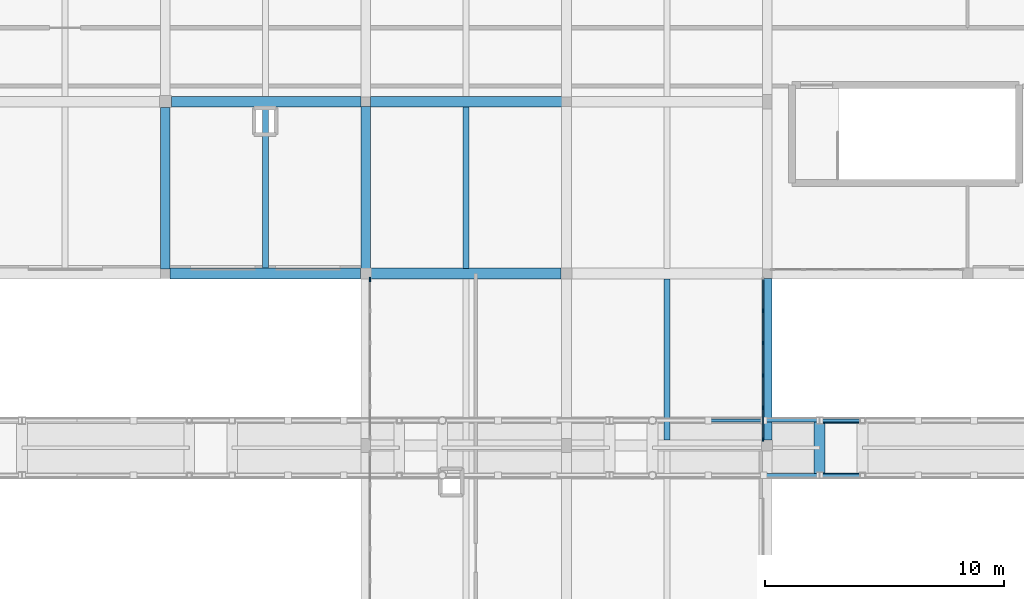
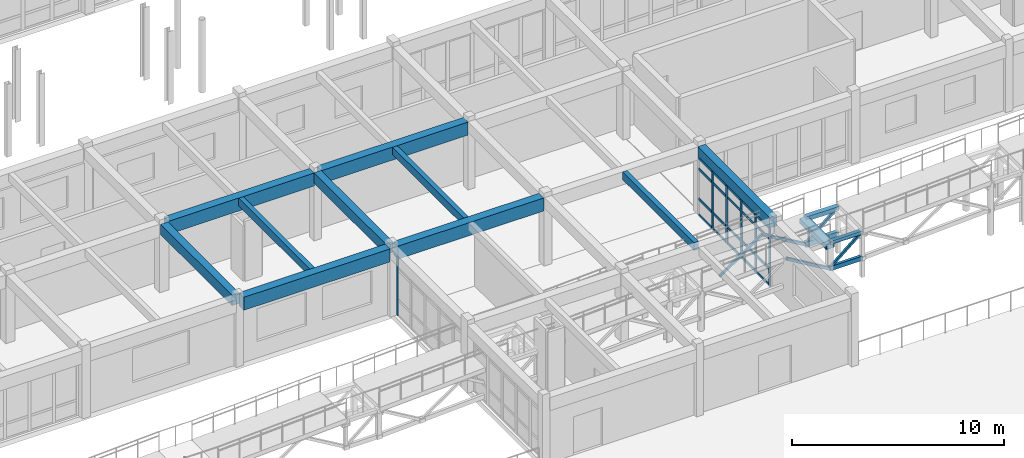
# One storey, part 34 of 90: 35 members, 11 beams, 2 elements without a shape of their own.
"""IFC4 building model written with IfcOpenShell, lengths in metres."""

import ifcopenshell
import ifcopenshell.guid

model = None  # the IFC model being written
_history = None  # IfcOwnerHistory: only IFC2X3 demands one
_inside = {}  # id of a spatial element -> (the spatial element, [elements in it])
_under = {}  # id of a project, library or spatial element -> (it, [spatial elements below it])
_declared = {}  # id of a project -> (the project, [libraries it declares])
_typed = {}  # id of a type object -> (the type object, [elements of that type])
_made_of = {}  # id of a material, layer set ... -> (it, [elements and type objects made of it])


def new_model(schema):
    """Start an empty IFC model of exactly this schema.

    Asked for "IFC4X3", IfcOpenShell would pick the latest addendum, in which some entities
    have other attributes; the version numbers below select the first issue.
    IFC2X3 requires an IfcOwnerHistory on every rooted entity: one is made here for all.
    """
    global model, _history
    if schema == "IFC4X3":
        model = ifcopenshell.file(schema_version=(4, 3, 0, 0))
    else:
        model = ifcopenshell.file(schema=schema)
    _inside.clear()
    _under.clear()
    _declared.clear()
    _typed.clear()
    _made_of.clear()
    _history = None
    if model.schema == "IFC2X3":
        org = make("IfcOrganization", Name="unknown")
        user = make(
            "IfcPersonAndOrganization",
            ThePerson=make("IfcPerson", FamilyName="unknown"),
            TheOrganization=org,
        )
        app = make(
            "IfcApplication",
            ApplicationDeveloper=org,
            Version="unknown",
            ApplicationFullName="unknown",
            ApplicationIdentifier="unknown",
        )
        _history = make(
            "IfcOwnerHistory",
            OwningUser=user,
            OwningApplication=app,
            ChangeAction="ADDED",
            CreationDate=0,
        )
    return model


def make(cls, **values):
    """One entity of the class cls with the attributes given. An attribute that is None is left unset."""
    return model.create_entity(
        cls, **{name: value for name, value in values.items() if value is not None}
    )


def rooted(cls, **values):
    """An entity with a GlobalId (a new one), such as an element, a storey or a relation."""
    return make(cls, GlobalId=ifcopenshell.guid.new(), OwnerHistory=_history, **values)


def si_unit(unit_type, name, prefix=None):
    """IfcSIUnit, for example si_unit("LENGTHUNIT", "METRE", prefix="MILLI")."""
    return make("IfcSIUnit", UnitType=unit_type, Prefix=prefix, Name=name)


def assignment(units):
    """IfcUnitAssignment: the units of a project."""
    return None if units is None else make("IfcUnitAssignment", Units=units)


def point(xyz):
    """IfcCartesianPoint."""
    return None if xyz is None else make("IfcCartesianPoint", Coordinates=xyz)


def direction(xyz):
    """IfcDirection."""
    return None if xyz is None else make("IfcDirection", DirectionRatios=xyz)


def frame(location, z_axis=None, x_axis=None):
    """IfcAxis2Placement3D, a coordinate frame: its origin and axes. An axis left out is left unset."""
    return make(
        "IfcAxis2Placement3D",
        Location=point(location),
        Axis=direction(z_axis),
        RefDirection=direction(x_axis),
    )


def frame_2d(location, x_axis=None):
    """IfcAxis2Placement2D, a coordinate frame in the plane: its origin and x axis."""
    return make(
        "IfcAxis2Placement2D", Location=point(location), RefDirection=direction(x_axis)
    )


def origin():
    """The frame at (0, 0, 0) with its axes left unset."""
    return frame((0.0, 0.0, 0.0))


def origin_2d():
    """The frame at (0, 0) in the plane with its x axis left unset."""
    return frame_2d((0.0, 0.0))


def place(relative_to, where):
    """IfcLocalPlacement: puts the frame where relative to a parent placement (None: the world)."""
    return make(
        "IfcLocalPlacement", PlacementRelTo=relative_to, RelativePlacement=where
    )


def context(
    kind, dimensions, precision=None, world=None, true_north=None, identifier=None
):
    """IfcGeometricRepresentationContext, for example the 3D "Model" context."""
    return make(
        "IfcGeometricRepresentationContext",
        ContextIdentifier=identifier,
        ContextType=kind,
        CoordinateSpaceDimension=dimensions,
        Precision=precision,
        WorldCoordinateSystem=world,
        TrueNorth=true_north,
    )


def subcontext(parent, identifier, kind, view, scale=None):
    """IfcGeometricRepresentationSubContext, for example "Body" below "Model"."""
    return make(
        "IfcGeometricRepresentationSubContext",
        ContextIdentifier=identifier,
        ContextType=kind,
        ParentContext=parent,
        TargetScale=scale,
        TargetView=view,
    )


def project(units=None, contexts=None):
    """IfcProject with its units and contexts."""
    return rooted(
        "IfcProject",
        Name="project",
        RepresentationContexts=contexts,
        UnitsInContext=assignment(units),
    )


def spatial(cls, under=None, at=None, **own):
    """A site, building, storey or space (cls), placed at a placement, below another one or the project."""
    s = rooted(cls, ObjectPlacement=at, **own)
    if under is not None:
        _under.setdefault(under.id(), (under, []))[1].append(s)
    return s


def profile(cls, at=None, kind="AREA", **sizes):
    """A parametric profile (cls). Its sizes go by their IFC names, for example OverallWidth=200.0."""
    return make(cls, ProfileType=kind, Position=at, **sizes)


def rectangle(**sizes):
    """IfcRectangleProfileDef."""
    return profile("IfcRectangleProfileDef", **sizes)


def hollow_rectangle(**sizes):
    """IfcRectangleHollowProfileDef."""
    return profile("IfcRectangleHollowProfileDef", **sizes)


def extrude(swept, where, along, depth):
    """IfcExtrudedAreaSolid: the profile swept, set in the frame where, extruded along a direction by depth."""
    return make(
        "IfcExtrudedAreaSolid",
        SweptArea=swept,
        Position=where,
        ExtrudedDirection=direction(along),
        Depth=depth,
    )


def shape(context_of_items, identifier, shape_type, items):
    """IfcShapeRepresentation: the items that make up one representation, for example the "Body"."""
    return make(
        "IfcShapeRepresentation",
        ContextOfItems=context_of_items,
        RepresentationIdentifier=identifier,
        RepresentationType=shape_type,
        Items=items,
    )


def material(Name=None, Category=None):
    """IfcMaterial."""
    return make("IfcMaterial", Name=Name, Category=Category)


def material_profile(
    of_material, cross_section, Name=None, Category=None, Priority=None
):
    """IfcMaterialProfile: a cross section and its material."""
    return make(
        "IfcMaterialProfile",
        Name=Name,
        Material=of_material,
        Profile=cross_section,
        Priority=Priority,
        Category=Category,
    )


def profile_set(profiles, Name=None, composite=None):
    """IfcMaterialProfileSet."""
    return make(
        "IfcMaterialProfileSet",
        Name=Name,
        MaterialProfiles=profiles,
        CompositeProfile=composite,
    )


def made_of(thing, what):
    """Note that an element or type object is made of a material, layer set ...; save() writes the relation."""
    if what is not None:
        _made_of.setdefault(what.id(), (what, []))[1].append(thing)
    return thing


def type_object(cls, material=None, **own):
    """A type object (cls), such as IfcWallType, which elements share."""
    return made_of(rooted(cls, **own), material)


def element(
    cls,
    number,
    at=None,
    inside=None,
    cuts=None,
    type_object=None,
    material=None,
    context=None,
    identifier="Body",
    shape_type=None,
    held_by="IfcProductDefinitionShape",
    body=None,
    shapes=None,
    **own,
):
    """One element of the class cls, such as IfcWall. Its Tag is "e" and its number.

    at: its placement. inside: the storey or other place that contains it. cuts: it is an
    opening in that element (IfcRelVoidsElement). A single representation is given by context,
    identifier, shape_type and body (its items); several are given by shapes. held_by: the class
    of the entity that holds the representations. save() writes the other relations.
    """
    e = rooted(cls, Tag="e%d" % number, ObjectPlacement=at, **own)
    if body is not None:
        shapes = [shape(context, identifier, shape_type, body)]
    if shapes is not None:
        e.Representation = make(held_by, Representations=shapes)
    if inside is not None:
        _inside.setdefault(inside.id(), (inside, []))[1].append(e)
    if cuts is not None:
        rooted(
            "IfcRelVoidsElement", RelatingBuildingElement=cuts, RelatedOpeningElement=e
        )
    if type_object is not None:
        _typed.setdefault(type_object.id(), (type_object, []))[1].append(e)
    return made_of(e, material)


def aggregate(whole, parts):
    """IfcRelAggregates: a whole, such as a stair, and the parts it consists of."""
    return rooted("IfcRelAggregates", RelatingObject=whole, RelatedObjects=parts)


def save(model, path):
    """Write the relations noted so far, then the file.

    IfcRelAggregates (storeys below a building ...), IfcRelContainedInSpatialStructure (elements
    in a storey), IfcRelDefinesByType, IfcRelAssociatesMaterial and IfcRelDeclares: one each for
    every whole, place, type object, material and project.
    """
    for whole, parts in _under.values():
        aggregate(whole, parts)
    for where, things in _inside.values():
        rooted(
            "IfcRelContainedInSpatialStructure",
            RelatedElements=things,
            RelatingStructure=where,
        )
    for kind, things in _typed.values():
        rooted("IfcRelDefinesByType", RelatedObjects=things, RelatingType=kind)
    for what, things in _made_of.values():
        rooted("IfcRelAssociatesMaterial", RelatedObjects=things, RelatingMaterial=what)
    for by, libraries in _declared.values():
        rooted("IfcRelDeclares", RelatingContext=by, RelatedDefinitions=libraries)
    model.write(path)


model = new_model("IFC4")

# Units and contexts
model_context = context("Model", 3, precision=1e-05, world=origin(), true_north=direction((0.0, 1.0)))
body_context = subcontext(model_context, "Body", "Model", "MODEL_VIEW")
ifc_project = project(units=[si_unit("LENGTHUNIT", "METRE"), si_unit("AREAUNIT", "SQUARE_METRE"), si_unit("VOLUMEUNIT", "CUBIC_METRE"), si_unit("PLANEANGLEUNIT", "RADIAN"), si_unit("MASSUNIT", "GRAM", prefix="KILO")], contexts=[model_context])

# Site, building, storey
site_placement = place(None, origin())
site = spatial("IfcSite", under=ifc_project, at=site_placement, CompositionType="ELEMENT")
building_placement = place(site_placement, origin())
building = spatial("IfcBuilding", under=site, at=building_placement, Name="Malvenik Polytechnic", CompositionType="ELEMENT")
storey_placement = place(building_placement, frame((0.0, 0.0, 9.300048828125)))
storey = spatial("IfcBuildingStorey", under=building, at=storey_placement, Name="L02", CompositionType="ELEMENT", Elevation=9.300048828125)

# Curtain wall, members
ifc_material_1 = material(Name="Anodised aluminium 6060-T6", Category="aluminium")
curtain_wall_type = type_object("IfcCurtainWallType", Name="ARC-CW-CW-06", PredefinedType="NOTDEFINED", material=ifc_material_1)
curtain_wall_1_placement = place(storey_placement, origin())
curtain_wall_1 = element("IfcCurtainWall", 1, at=curtain_wall_1_placement, inside=storey, type_object=curtain_wall_type, Name="Unitised Curtain Wall CW-06 L02 #146", PredefinedType="NOTDEFINED")
ifc_material_2 = material(Name="Anodised aluminium", Category="aluminium")
ifc_material_profile_1 = material_profile(ifc_material_2, rectangle(XDim=0.06005859375, YDim=0.159912109375, at=origin_2d()), Name="ALU MULLION 60x160")
ifc_profile_set_1 = profile_set([ifc_material_profile_1], Name="Anodised aluminium")
member_type_1 = type_object("IfcMemberType", Name="ARC-CWM-160", PredefinedType="MULLION", material=ifc_profile_set_1)
member_1_placement = place(storey_placement, frame((92.22998046875, 48.84619140625, 0.0), z_axis=(0.0, 0.0, 1.0), x_axis=(1.0, 0.0, 0.0)))
member_1 = element("IfcMember", 2, at=member_1_placement, type_object=member_type_1, Name="CW-06 mullion 2", PredefinedType="MULLION", context=body_context, shape_type="SweptSolid", body=[
    extrude(rectangle(XDim=0.06005859375, YDim=0.159912109375, at=origin_2d()), origin(), (0.0, 0.0, 1.0), 3.329833984375),
])
member_2_placement = place(storey_placement, frame((92.22998046875, 47.490478515625, 0.0), z_axis=(0.0, 0.0, 1.0), x_axis=(1.0, 0.0, 0.0)))
member_2 = element("IfcMember", 3, at=member_2_placement, type_object=member_type_1, Name="CW-06 mullion 3", PredefinedType="MULLION", context=body_context, shape_type="SweptSolid", body=[
    extrude(rectangle(XDim=0.06005859375, YDim=0.159912109375, at=origin_2d()), origin(), (0.0, 0.0, 1.0), 3.329833984375),
])
member_3_placement = place(storey_placement, frame((92.22998046875, 46.134521484375, 0.0), z_axis=(0.0, 0.0, 1.0), x_axis=(1.0, 0.0, 0.0)))
member_3 = element("IfcMember", 4, at=member_3_placement, type_object=member_type_1, Name="CW-06 mullion 4", PredefinedType="MULLION", context=body_context, shape_type="SweptSolid", body=[
    extrude(rectangle(XDim=0.06005859375, YDim=0.159912109375, at=origin_2d()), origin(), (0.0, 0.0, 1.0), 3.329833984375),
])
member_4_placement = place(storey_placement, frame((92.22998046875, 44.77880859375, 0.0), z_axis=(0.0, 0.0, 1.0), x_axis=(1.0, 0.0, 0.0)))
member_4 = element("IfcMember", 5, at=member_4_placement, type_object=member_type_1, Name="CW-06 mullion 5", PredefinedType="MULLION", context=body_context, shape_type="SweptSolid", body=[
    extrude(rectangle(XDim=0.06005859375, YDim=0.159912109375, at=origin_2d()), origin(), (0.0, 0.0, 1.0), 3.329833984375),
])
member_5_placement = place(storey_placement, frame((92.22998046875, 43.452880859375, 0.0), z_axis=(0.0, 0.0, 1.0), x_axis=(1.0, 0.0, 0.0)))
member_5 = element("IfcMember", 6, at=member_5_placement, type_object=member_type_1, Name="CW-06 mullion 6", PredefinedType="MULLION", context=body_context, shape_type="SweptSolid", body=[
    extrude(rectangle(XDim=0.06005859375, YDim=0.159912109375, at=origin_2d()), origin(), (0.0, 0.0, 1.0), 3.329833984375),
])

# Curtain wall, member
curtain_wall_2_placement = place(storey_placement, origin())
curtain_wall_2 = element("IfcCurtainWall", 7, at=curtain_wall_2_placement, inside=storey, type_object=curtain_wall_type, Name="Unitised Curtain Wall CW-06 L02 #136", PredefinedType="NOTDEFINED")
ifc_material_profile_2 = material_profile(ifc_material_2, rectangle(XDim=0.06005859375, YDim=0.179931640625, at=origin_2d()), Name="ALU MULLION 60x180")
ifc_profile_set_2 = profile_set([ifc_material_profile_2], Name="Anodised aluminium")
member_type_2 = type_object("IfcMemberType", Name="ARC-CWM-180", PredefinedType="MULLION", material=ifc_profile_set_2)
member_6_placement = place(storey_placement, frame((75.77001953125, 50.14697265625, 0.0), z_axis=(0.0, 0.0, 1.0), x_axis=(-1.0, 0.0, 0.0)))
member_6 = element("IfcMember", 8, at=member_6_placement, type_object=member_type_2, Name="CW-06 mullion 6", PredefinedType="MULLION", context=body_context, shape_type="SweptSolid", body=[
    extrude(rectangle(XDim=0.06005859375, YDim=0.179931640625, at=origin_2d()), origin(), (0.0, 0.0, 1.0), 3.329833984375),
])
aggregate(curtain_wall_2, [member_6])

# Member
ifc_material_profile_3 = material_profile(ifc_material_2, rectangle(XDim=0.06005859375, YDim=0.139892578125, at=origin_2d()), Name="ALU TRANSOM 60x140")
ifc_profile_set_3 = profile_set([ifc_material_profile_3], Name="Anodised aluminium")
member_type_3 = type_object("IfcMemberType", Name="ARC-CWT-140", PredefinedType="USERDEFINED", material=ifc_profile_set_3)
member_7_placement = place(storey_placement, frame((92.22998046875, 50.14208984375, 0.030029296875), z_axis=(0.0, -1.0, 0.0), x_axis=(1.0, 0.0, 0.0)))
member_7 = element("IfcMember", 9, at=member_7_placement, type_object=member_type_3, Name="CW-06 transom 1.1", ObjectType="TRANSOM", PredefinedType="USERDEFINED", context=body_context, shape_type="SweptSolid", body=[
    extrude(rectangle(XDim=0.06005859375, YDim=0.139892578125, at=origin_2d()), origin(), (0.0, 0.0, 1.0), 1.265869140625),
])

member_8_placement = place(storey_placement, frame((92.22998046875, 50.14208984375, 0.949951171875), z_axis=(0.0, -1.0, 0.0), x_axis=(1.0, 0.0, 0.0)))
member_8 = element("IfcMember", 10, at=member_8_placement, type_object=member_type_3, Name="CW-06 transom 1.2", ObjectType="TRANSOM", PredefinedType="USERDEFINED", context=body_context, shape_type="SweptSolid", body=[
    extrude(rectangle(XDim=0.06005859375, YDim=0.139892578125, at=origin_2d()), origin(), (0.0, 0.0, 1.0), 1.265869140625),
])

member_9_placement = place(storey_placement, frame((92.22998046875, 50.14208984375, 2.679931640625), z_axis=(0.0, -1.0, 0.0), x_axis=(1.0, 0.0, 0.0)))
member_9 = element("IfcMember", 11, at=member_9_placement, type_object=member_type_3, Name="CW-06 transom 1.3", ObjectType="TRANSOM", PredefinedType="USERDEFINED", context=body_context, shape_type="SweptSolid", body=[
    extrude(rectangle(XDim=0.06005859375, YDim=0.139892578125, at=origin_2d()), origin(), (0.0, 0.0, 1.0), 1.265869140625),
])

member_10_placement = place(storey_placement, frame((92.22998046875, 50.14208984375, 3.300048828125), z_axis=(0.0, -1.0, 0.0), x_axis=(1.0, 0.0, 0.0)))
member_10 = element("IfcMember", 12, at=member_10_placement, type_object=member_type_3, Name="CW-06 transom 1.4", ObjectType="TRANSOM", PredefinedType="USERDEFINED", context=body_context, shape_type="SweptSolid", body=[
    extrude(rectangle(XDim=0.06005859375, YDim=0.139892578125, at=origin_2d()), origin(), (0.0, 0.0, 1.0), 1.265869140625),
])

member_11_placement = place(storey_placement, frame((92.22998046875, 48.816162109375, 0.030029296875), z_axis=(0.0, -1.0, 0.0), x_axis=(1.0, 0.0, 0.0)))
member_11 = element("IfcMember", 13, at=member_11_placement, type_object=member_type_3, Name="CW-06 transom 2.1", ObjectType="TRANSOM", PredefinedType="USERDEFINED", context=body_context, shape_type="SweptSolid", body=[
    extrude(rectangle(XDim=0.06005859375, YDim=0.139892578125, at=origin_2d()), origin(), (0.0, 0.0, 1.0), 1.295654296875),
])

member_12_placement = place(storey_placement, frame((92.22998046875, 48.816162109375, 0.949951171875), z_axis=(0.0, -1.0, 0.0), x_axis=(1.0, 0.0, 0.0)))
member_12 = element("IfcMember", 14, at=member_12_placement, type_object=member_type_3, Name="CW-06 transom 2.2", ObjectType="TRANSOM", PredefinedType="USERDEFINED", context=body_context, shape_type="SweptSolid", body=[
    extrude(rectangle(XDim=0.06005859375, YDim=0.139892578125, at=origin_2d()), origin(), (0.0, 0.0, 1.0), 1.295654296875),
])

member_13_placement = place(storey_placement, frame((92.22998046875, 48.816162109375, 2.679931640625), z_axis=(0.0, -1.0, 0.0), x_axis=(1.0, 0.0, 0.0)))
member_13 = element("IfcMember", 15, at=member_13_placement, type_object=member_type_3, Name="CW-06 transom 2.3", ObjectType="TRANSOM", PredefinedType="USERDEFINED", context=body_context, shape_type="SweptSolid", body=[
    extrude(rectangle(XDim=0.06005859375, YDim=0.139892578125, at=origin_2d()), origin(), (0.0, 0.0, 1.0), 1.295654296875),
])

member_14_placement = place(storey_placement, frame((92.22998046875, 48.816162109375, 3.300048828125), z_axis=(0.0, -1.0, 0.0), x_axis=(1.0, 0.0, 0.0)))
member_14 = element("IfcMember", 16, at=member_14_placement, type_object=member_type_3, Name="CW-06 transom 2.4", ObjectType="TRANSOM", PredefinedType="USERDEFINED", context=body_context, shape_type="SweptSolid", body=[
    extrude(rectangle(XDim=0.06005859375, YDim=0.139892578125, at=origin_2d()), origin(), (0.0, 0.0, 1.0), 1.295654296875),
])

member_15_placement = place(storey_placement, frame((92.22998046875, 47.46044921875, 0.030029296875), z_axis=(0.0, -1.0, 0.0), x_axis=(1.0, 0.0, 0.0)))
member_15 = element("IfcMember", 17, at=member_15_placement, type_object=member_type_3, Name="CW-06 transom 3.1", ObjectType="TRANSOM", PredefinedType="USERDEFINED", context=body_context, shape_type="SweptSolid", body=[
    extrude(rectangle(XDim=0.06005859375, YDim=0.139892578125, at=origin_2d()), origin(), (0.0, 0.0, 1.0), 1.2958984375),
])

member_16_placement = place(storey_placement, frame((92.22998046875, 47.46044921875, 0.949951171875), z_axis=(0.0, -1.0, 0.0), x_axis=(1.0, 0.0, 0.0)))
member_16 = element("IfcMember", 18, at=member_16_placement, type_object=member_type_3, Name="CW-06 transom 3.2", ObjectType="TRANSOM", PredefinedType="USERDEFINED", context=body_context, shape_type="SweptSolid", body=[
    extrude(rectangle(XDim=0.06005859375, YDim=0.139892578125, at=origin_2d()), origin(), (0.0, 0.0, 1.0), 1.2958984375),
])

member_17_placement = place(storey_placement, frame((92.22998046875, 47.46044921875, 2.679931640625), z_axis=(0.0, -1.0, 0.0), x_axis=(1.0, 0.0, 0.0)))
member_17 = element("IfcMember", 19, at=member_17_placement, type_object=member_type_3, Name="CW-06 transom 3.3", ObjectType="TRANSOM", PredefinedType="USERDEFINED", context=body_context, shape_type="SweptSolid", body=[
    extrude(rectangle(XDim=0.06005859375, YDim=0.139892578125, at=origin_2d()), origin(), (0.0, 0.0, 1.0), 1.2958984375),
])

member_18_placement = place(storey_placement, frame((92.22998046875, 47.46044921875, 3.300048828125), z_axis=(0.0, -1.0, 0.0), x_axis=(1.0, 0.0, 0.0)))
member_18 = element("IfcMember", 20, at=member_18_placement, type_object=member_type_3, Name="CW-06 transom 3.4", ObjectType="TRANSOM", PredefinedType="USERDEFINED", context=body_context, shape_type="SweptSolid", body=[
    extrude(rectangle(XDim=0.06005859375, YDim=0.139892578125, at=origin_2d()), origin(), (0.0, 0.0, 1.0), 1.2958984375),
])

member_19_placement = place(storey_placement, frame((92.22998046875, 46.1044921875, 0.030029296875), z_axis=(0.0, -1.0, 0.0), x_axis=(1.0, 0.0, 0.0)))
member_19 = element("IfcMember", 21, at=member_19_placement, type_object=member_type_3, Name="CW-06 transom 4.1", ObjectType="TRANSOM", PredefinedType="USERDEFINED", context=body_context, shape_type="SweptSolid", body=[
    extrude(rectangle(XDim=0.06005859375, YDim=0.139892578125, at=origin_2d()), origin(), (0.0, 0.0, 1.0), 1.295654296875),
])

member_20_placement = place(storey_placement, frame((92.22998046875, 46.1044921875, 0.949951171875), z_axis=(0.0, -1.0, 0.0), x_axis=(1.0, 0.0, 0.0)))
member_20 = element("IfcMember", 22, at=member_20_placement, type_object=member_type_3, Name="CW-06 transom 4.2", ObjectType="TRANSOM", PredefinedType="USERDEFINED", context=body_context, shape_type="SweptSolid", body=[
    extrude(rectangle(XDim=0.06005859375, YDim=0.139892578125, at=origin_2d()), origin(), (0.0, 0.0, 1.0), 1.295654296875),
])

member_21_placement = place(storey_placement, frame((92.22998046875, 46.1044921875, 2.679931640625), z_axis=(0.0, -1.0, 0.0), x_axis=(1.0, 0.0, 0.0)))
member_21 = element("IfcMember", 23, at=member_21_placement, type_object=member_type_3, Name="CW-06 transom 4.3", ObjectType="TRANSOM", PredefinedType="USERDEFINED", context=body_context, shape_type="SweptSolid", body=[
    extrude(rectangle(XDim=0.06005859375, YDim=0.139892578125, at=origin_2d()), origin(), (0.0, 0.0, 1.0), 1.295654296875),
])

member_22_placement = place(storey_placement, frame((92.22998046875, 46.1044921875, 3.300048828125), z_axis=(0.0, -1.0, 0.0), x_axis=(1.0, 0.0, 0.0)))
member_22 = element("IfcMember", 24, at=member_22_placement, type_object=member_type_3, Name="CW-06 transom 4.4", ObjectType="TRANSOM", PredefinedType="USERDEFINED", context=body_context, shape_type="SweptSolid", body=[
    extrude(rectangle(XDim=0.06005859375, YDim=0.139892578125, at=origin_2d()), origin(), (0.0, 0.0, 1.0), 1.295654296875),
])

member_23_placement = place(storey_placement, frame((92.22998046875, 44.748779296875, 0.030029296875), z_axis=(0.0, -1.0, 0.0), x_axis=(1.0, 0.0, 0.0)))
member_23 = element("IfcMember", 25, at=member_23_placement, type_object=member_type_3, Name="CW-06 transom 5.1", ObjectType="TRANSOM", PredefinedType="USERDEFINED", context=body_context, shape_type="SweptSolid", body=[
    extrude(rectangle(XDim=0.06005859375, YDim=0.139892578125, at=origin_2d()), origin(), (0.0, 0.0, 1.0), 1.265869140625),
])

member_24_placement = place(storey_placement, frame((92.22998046875, 44.748779296875, 0.949951171875), z_axis=(0.0, -1.0, 0.0), x_axis=(1.0, 0.0, 0.0)))
member_24 = element("IfcMember", 26, at=member_24_placement, type_object=member_type_3, Name="CW-06 transom 5.2", ObjectType="TRANSOM", PredefinedType="USERDEFINED", context=body_context, shape_type="SweptSolid", body=[
    extrude(rectangle(XDim=0.06005859375, YDim=0.139892578125, at=origin_2d()), origin(), (0.0, 0.0, 1.0), 1.265869140625),
])

member_25_placement = place(storey_placement, frame((92.22998046875, 44.748779296875, 2.679931640625), z_axis=(0.0, -1.0, 0.0), x_axis=(1.0, 0.0, 0.0)))
member_25 = element("IfcMember", 27, at=member_25_placement, type_object=member_type_3, Name="CW-06 transom 5.3", ObjectType="TRANSOM", PredefinedType="USERDEFINED", context=body_context, shape_type="SweptSolid", body=[
    extrude(rectangle(XDim=0.06005859375, YDim=0.139892578125, at=origin_2d()), origin(), (0.0, 0.0, 1.0), 1.265869140625),
])

member_26_placement = place(storey_placement, frame((92.22998046875, 44.748779296875, 3.300048828125), z_axis=(0.0, -1.0, 0.0), x_axis=(1.0, 0.0, 0.0)))
member_26 = element("IfcMember", 28, at=member_26_placement, type_object=member_type_3, Name="CW-06 transom 5.4", ObjectType="TRANSOM", PredefinedType="USERDEFINED", context=body_context, shape_type="SweptSolid", body=[
    extrude(rectangle(XDim=0.06005859375, YDim=0.139892578125, at=origin_2d()), origin(), (0.0, 0.0, 1.0), 1.265869140625),
])

aggregate(curtain_wall_1, [member_1, member_2, member_3, member_4, member_5, member_7, member_8, member_9, member_10, member_11, member_12, member_13, member_14, member_15, member_16, member_17, member_18, member_19, member_20, member_21, member_22, member_23, member_24, member_25, member_26])

# Beams
ifc_material_3 = material(Name="Concrete C35/45", Category="concrete")
ifc_material_profile_4 = material_profile(ifc_material_3, rectangle(XDim=0.449951171875, YDim=0.75, at=origin_2d()), Name="RC BM 450x750")
ifc_profile_set_4 = profile_set([ifc_material_profile_4], Name="Concrete C35/45")
beam_type_1 = type_object("IfcBeamType", Name="STR-BM-B-03", PredefinedType="BEAM", material=ifc_profile_set_4)
for number, where, z_axis, x_axis, name in (
    (29, (75.822998046875, 50.39990234375, 3.56494140625), (1.0, 0.0, 0.0), (0.0, 1.0, 0.0), "Primary Beam B-03 L02 #1343"),
    (30, (67.447998046875, 57.60009765625, 3.56494140625), (1.0, 0.0, 0.0), (0.0, 1.0, 0.0), "Primary Beam B-03 L02 #1355"),
):
    element("IfcBeam", number, at=place(storey_placement, frame(where, z_axis=z_axis, x_axis=x_axis)), inside=storey, type_object=beam_type_1, Name=name, PredefinedType="BEAM", context=body_context, shape_type="SweptSolid", body=[
        extrude(rectangle(XDim=0.449951171875, YDim=0.75, at=origin_2d()), origin(), (0.0, 0.0, 1.0), 7.9541015625),
    ])
beam_1_placement = place(storey_placement, frame((75.798095703125, 57.60009765625, 3.56494140625), z_axis=(1.0, 0.0, 0.0), x_axis=(0.0, 1.0, 0.0)))
element("IfcBeam", 31, at=beam_1_placement, inside=storey, type_object=beam_type_1, Name="Primary Beam B-03 L02 #1356", PredefinedType="BEAM", context=body_context, shape_type="SweptSolid", body=[
    extrude(rectangle(XDim=0.449951171875, YDim=0.75, at=origin_2d()), origin(), (0.0, 0.0, 1.0), 8.00390625),
])
ifc_material_profile_5 = material_profile(ifc_material_3, rectangle(XDim=0.39990234375, YDim=0.60009765625, at=origin_2d()), Name="RC BM 400x600")
ifc_profile_set_5 = profile_set([ifc_material_profile_5], Name="Concrete C35/45")
beam_type_2 = type_object("IfcBeamType", Name="STR-BM-B-06", PredefinedType="BEAM", material=ifc_profile_set_5)
beam_2_placement = place(storey_placement, frame((67.199951171875, 50.597900390625, 3.639892578125), z_axis=(0.0, 1.0, 0.0), x_axis=(-1.0, 0.0, 0.0)))
element("IfcBeam", 32, at=beam_2_placement, inside=storey, type_object=beam_type_2, Name="Transverse Beam B-06 L02 #1501", PredefinedType="BEAM", context=body_context, shape_type="SweptSolid", body=[
    extrude(rectangle(XDim=0.39990234375, YDim=0.60009765625, at=origin_2d()), origin(), (0.0, 0.0, 1.0), 6.754150390625),
])
beam_3_placement = place(storey_placement, frame((75.60009765625, 50.623046875, 3.639892578125), z_axis=(0.0, 1.0, 0.0), x_axis=(-1.0, 0.0, 0.0)))
element("IfcBeam", 33, at=beam_3_placement, inside=storey, type_object=beam_type_2, Name="Transverse Beam B-06 L02 #1509", PredefinedType="BEAM", context=body_context, shape_type="SweptSolid", body=[
    extrude(rectangle(XDim=0.39990234375, YDim=0.60009765625, at=origin_2d()), origin(), (0.0, 0.0, 1.0), 6.779052734375),
])
beam_4_placement = place(storey_placement, frame((92.39990234375, 43.423095703125, 3.639892578125), z_axis=(0.0, 1.0, 0.0), x_axis=(-1.0, 0.0, 0.0)))
element("IfcBeam", 34, at=beam_4_placement, inside=storey, type_object=beam_type_2, Name="Transverse Beam B-06 L02 #1528", PredefinedType="BEAM", context=body_context, shape_type="SweptSolid", body=[
    extrude(rectangle(XDim=0.39990234375, YDim=0.60009765625, at=origin_2d()), origin(), (0.0, 0.0, 1.0), 6.77880859375),
])
ifc_material_4 = material(Name="Concrete C30/37", Category="concrete")
ifc_material_profile_6 = material_profile(ifc_material_4, rectangle(XDim=0.25, YDim=0.449951171875, at=origin_2d()), Name="RC JST 250x450")
ifc_profile_set_6 = profile_set([ifc_material_profile_6], Name="Concrete C30/37")
beam_type_3 = type_object("IfcBeamType", Name="STR-BM-J-02", PredefinedType="JOIST", material=ifc_profile_set_6)
beam_5_placement = place(storey_placement, frame((71.39990234375, 50.6279296875, 3.71484375), z_axis=(0.0, 1.0, 0.0), x_axis=(-1.0, 0.0, 0.0)))
element("IfcBeam", 35, at=beam_5_placement, inside=storey, type_object=beam_type_3, Name="Secondary Rib Joist J-02 L02 #1587", PredefinedType="JOIST", context=body_context, shape_type="SweptSolid", body=[
    extrude(rectangle(XDim=0.25, YDim=0.449951171875, at=origin_2d()), origin(), (0.0, 0.0, 1.0), 6.7490234375),
])
for number, where, z_axis, x_axis, name in (
    (36, (79.800048828125, 50.623046875, 3.71484375), (0.0, 1.0, 0.0), (-1.0, 0.0, 0.0), "Secondary Rib Joist J-02 L02 #1592"),
    (37, (88.199951171875, 43.423095703125, 3.71484375), (0.0, 1.0, 0.0), (-1.0, 0.0, 0.0), "Secondary Rib Joist J-02 L02 #1598"),
):
    element("IfcBeam", number, at=place(storey_placement, frame(where, z_axis=z_axis, x_axis=x_axis)), inside=storey, type_object=beam_type_3, Name=name, PredefinedType="JOIST", context=body_context, shape_type="SweptSolid", body=[
        extrude(rectangle(XDim=0.25, YDim=0.449951171875, at=origin_2d()), origin(), (0.0, 0.0, 1.0), 6.75390625),
    ])
ifc_material_5 = material(Name="Steel S355J2H", Category="steel")
ifc_material_profile_7 = material_profile(ifc_material_5, hollow_rectangle(XDim=0.449951171875, YDim=0.300048828125, WallThickness=0.012451171875, at=origin_2d()), Name="RHS 450x300x12.5")
ifc_profile_set_7 = profile_set([ifc_material_profile_7], Name="Steel S355J2H")
beam_type_4 = type_object("IfcBeamType", Name="STR-BM-SB-07", PredefinedType="BEAM", material=ifc_profile_set_7)
beam_6_placement = place(storey_placement, frame((94.60009765625, 41.85009765625, 2.431884765625), z_axis=(0.0, 1.0, 0.0), x_axis=(-1.0, 0.0, 0.0)))
element("IfcBeam", 38, at=beam_6_placement, inside=storey, type_object=beam_type_4, Name="Ramp Joint Transom RB-01 #15", PredefinedType="BEAM", context=body_context, shape_type="SweptSolid", body=[
    extrude(hollow_rectangle(XDim=0.449951171875, YDim=0.300048828125, WallThickness=0.012451171875, at=origin_2d()), origin(), (0.0, 0.0, 1.0), 2.5),
])
ifc_material_6 = material(Name="Precast concrete C40/50", Category="concrete")
ifc_material_profile_8 = material_profile(ifc_material_6, rectangle(XDim=0.4599609375, YDim=0.75, at=origin_2d()), Name="PC SPN 460x750")
ifc_profile_set_8 = profile_set([ifc_material_profile_8], Name="Precast concrete C40/50")
beam_type_5 = type_object("IfcBeamType", Name="STR-BM-SP-02", PredefinedType="SPANDREL", material=ifc_profile_set_8)
beam_7_placement = place(storey_placement, frame((67.39794921875, 50.39990234375, 3.56494140625), z_axis=(1.0, 0.0, 0.0), x_axis=(0.0, 1.0, 0.0)))
element("IfcBeam", 39, at=beam_7_placement, inside=storey, type_object=beam_type_5, Name="Primary Beam SP-02 L02 #1342", PredefinedType="SPANDREL", context=body_context, shape_type="SweptSolid", body=[
    extrude(rectangle(XDim=0.4599609375, YDim=0.75, at=origin_2d()), origin(), (0.0, 0.0, 1.0), 7.97900390625),
])

# Members
ifc_material_profile_9 = material_profile(ifc_material_5, hollow_rectangle(XDim=0.14990234375, YDim=0.25, WallThickness=0.010009765625, at=origin_2d()), Name="RHS 250x150x10.0")
ifc_profile_set_9 = profile_set([ifc_material_profile_9], Name="Steel S355J2H")
member_type_4 = type_object("IfcMemberType", Name="STR-MEM-TRB-01", PredefinedType="CHORD", material=ifc_profile_set_9)
member_27_placement = place(storey_placement, frame((94.60400390625, 41.949951171875, 1.079833984375), z_axis=(1.0, 0.0, 0.0), x_axis=(0.0, 1.0, 0.0)))
element("IfcMember", 40, at=member_27_placement, inside=storey, type_object=member_type_4, Name="Space-Frame Tube TRB-01 STR-TR-BC-RB-01-1-15", PredefinedType="CHORD", context=body_context, shape_type="SweptSolid", body=[
    extrude(hollow_rectangle(XDim=0.14990234375, YDim=0.25, WallThickness=0.010009765625, at=origin_2d()), origin(), (0.0, 0.0, 1.0), 1.7919921875),
])
ifc_material_profile_10 = material_profile(ifc_material_5, hollow_rectangle(XDim=0.199951171875, YDim=0.300048828125, WallThickness=0.010009765625, at=origin_2d()), Name="RHS 300x200x10.0")
ifc_profile_set_10 = profile_set([ifc_material_profile_10], Name="Steel S355J2H")
member_type_5 = type_object("IfcMemberType", Name="STR-MEM-TRB-02", PredefinedType="CHORD", material=ifc_profile_set_10)
member_28_placement = place(storey_placement, frame((94.60400390625, 44.25, 1.079833984375), z_axis=(1.0, 0.0, 0.0), x_axis=(0.0, 1.0, 0.0)))
element("IfcMember", 41, at=member_28_placement, inside=storey, type_object=member_type_5, Name="Space-Frame Tube TRB-02 STR-TR-BC-RB-01-2-15", PredefinedType="CHORD", context=body_context, shape_type="SweptSolid", body=[
    extrude(hollow_rectangle(XDim=0.199951171875, YDim=0.300048828125, WallThickness=0.010009765625, at=origin_2d()), origin(), (0.0, 0.0, 1.0), 1.7919921875),
])
ifc_material_profile_11 = material_profile(ifc_material_5, hollow_rectangle(XDim=0.14990234375, YDim=0.14990234375, WallThickness=0.008056640625, at=origin_2d()), Name="SHS 150x150x8.0")
ifc_profile_set_11 = profile_set([ifc_material_profile_11], Name="Steel S355J2H")
member_type_6 = type_object("IfcMemberType", Name="STR-MEM-TRD-01", PredefinedType="BRACE", material=ifc_profile_set_11)
for number, where, z_axis, x_axis, name in (
    (42, (92.27001953125, 41.949951171875, 2.461181640625), (0.860228478793, 0.0, -0.509908780346), (0.0, 1.0, 0.0), "Space-Frame Tube TRD-01 STR-TRD-03-RB-01-1-14"),
    (43, (92.27001953125, 44.25, 2.461181640625), (0.860228478793, 0.0, -0.509908780346), (0.0, 1.0, 0.0), "Space-Frame Tube TRD-01 STR-TRD-03-RB-01-2-14"),
):
    element("IfcMember", number, at=place(storey_placement, frame(where, z_axis=z_axis, x_axis=x_axis)), inside=storey, type_object=member_type_6, Name=name, PredefinedType="BRACE", context=body_context, shape_type="SweptSolid", body=[
        extrude(hollow_rectangle(XDim=0.14990234375, YDim=0.14990234375, WallThickness=0.008056640625, at=origin_2d()), origin(), (0.0, 0.0, 1.0), 2.70458984375),
    ])
ifc_material_profile_12 = material_profile(ifc_material_5, hollow_rectangle(XDim=0.1201171875, YDim=0.1201171875, WallThickness=0.00634765625, at=origin_2d()), Name="SHS 120x120x6.3")
ifc_profile_set_12 = profile_set([ifc_material_profile_12], Name="Steel S355J2H")
member_type_7 = type_object("IfcMemberType", Name="STR-MEM-TRD-02", PredefinedType="BRACE", material=ifc_profile_set_12)
member_29_placement = place(storey_placement, frame((94.60302734375, 41.949951171875, 1.08251953125), z_axis=(0.768238418778, 0.0, 0.640163832088), x_axis=(0.0, 1.0, 0.0)))
element("IfcMember", 44, at=member_29_placement, inside=storey, type_object=member_type_7, Name="Space-Frame Tube TRD-02 STR-TR-DGL-RB-01-1-15", PredefinedType="BRACE", context=body_context, shape_type="SweptSolid", body=[
    extrude(hollow_rectangle(XDim=0.1201171875, YDim=0.1201171875, WallThickness=0.00634765625, at=origin_2d()), origin(), (0.0, 0.0, 1.0), 2.335205078125),
])
member_30_placement = place(storey_placement, frame((89.9365234375, 44.25, 0.848876953125), z_axis=(0.822005857331, 0.0, 0.569479034305), x_axis=(0.0, 1.0, 0.0)))
element("IfcMember", 45, at=member_30_placement, inside=storey, type_object=member_type_7, Name="Space-Frame Tube TRD-02 STR-TRD-02-RB-01-2-14", PredefinedType="BRACE", context=body_context, shape_type="SweptSolid", body=[
    extrude(hollow_rectangle(XDim=0.1201171875, YDim=0.1201171875, WallThickness=0.00634765625, at=origin_2d()), origin(), (0.0, 0.0, 1.0), 2.830810546875),
])
member_31_placement = place(storey_placement, frame((94.60302734375, 44.25, 1.08251953125), z_axis=(0.768238418778, 0.0, 0.640163832088), x_axis=(0.0, 1.0, 0.0)))
element("IfcMember", 46, at=member_31_placement, inside=storey, type_object=member_type_7, Name="Space-Frame Tube TRD-02 STR-TR-DGL-RB-01-2-15", PredefinedType="BRACE", context=body_context, shape_type="SweptSolid", body=[
    extrude(hollow_rectangle(XDim=0.1201171875, YDim=0.1201171875, WallThickness=0.00634765625, at=origin_2d()), origin(), (0.0, 0.0, 1.0), 2.335205078125),
])
ifc_material_profile_13 = material_profile(ifc_material_5, hollow_rectangle(XDim=0.199951171875, YDim=0.199951171875, WallThickness=0.010009765625, at=origin_2d()), Name="SHS 200x200x10.0")
ifc_profile_set_13 = profile_set([ifc_material_profile_13], Name="Steel S355J2H")
member_type_8 = type_object("IfcMemberType", Name="STR-MEM-TRT-01", PredefinedType="CHORD", material=ifc_profile_set_13)
member_32_placement = place(storey_placement, frame((94.60400390625, 41.949951171875, 2.579833984375), z_axis=(1.0, 0.0, 0.0), x_axis=(0.0, 1.0, 0.0)))
element("IfcMember", 47, at=member_32_placement, inside=storey, type_object=member_type_8, Name="Space-Frame Tube TRT-01 STR-TR-TC-RB-01-1-15", PredefinedType="CHORD", context=body_context, shape_type="SweptSolid", body=[
    extrude(hollow_rectangle(XDim=0.199951171875, YDim=0.199951171875, WallThickness=0.010009765625, at=origin_2d()), origin(), (0.0, 0.0, 1.0), 1.7919921875),
])
ifc_material_profile_14 = material_profile(ifc_material_5, hollow_rectangle(XDim=0.25, YDim=0.25, WallThickness=0.010009765625, at=origin_2d()), Name="SHS 250x250x10.0")
ifc_profile_set_14 = profile_set([ifc_material_profile_14], Name="Steel S355J2H")
member_type_9 = type_object("IfcMemberType", Name="STR-MEM-TRT-02", PredefinedType="CHORD", material=ifc_profile_set_14)
member_33_placement = place(storey_placement, frame((94.60400390625, 44.25, 2.579833984375), z_axis=(1.0, 0.0, 0.0), x_axis=(0.0, 1.0, 0.0)))
element("IfcMember", 48, at=member_33_placement, inside=storey, type_object=member_type_9, Name="Space-Frame Tube TRT-02 STR-TR-TC-RB-01-2-15", PredefinedType="CHORD", context=body_context, shape_type="SweptSolid", body=[
    extrude(hollow_rectangle(XDim=0.25, YDim=0.25, WallThickness=0.010009765625, at=origin_2d()), origin(), (0.0, 0.0, 1.0), 1.7919921875),
])

save(model, "model.ifc")
